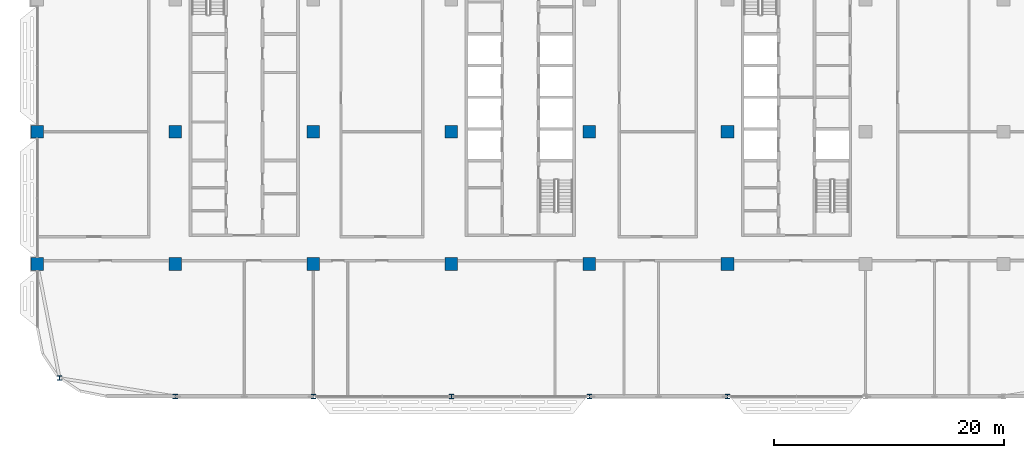
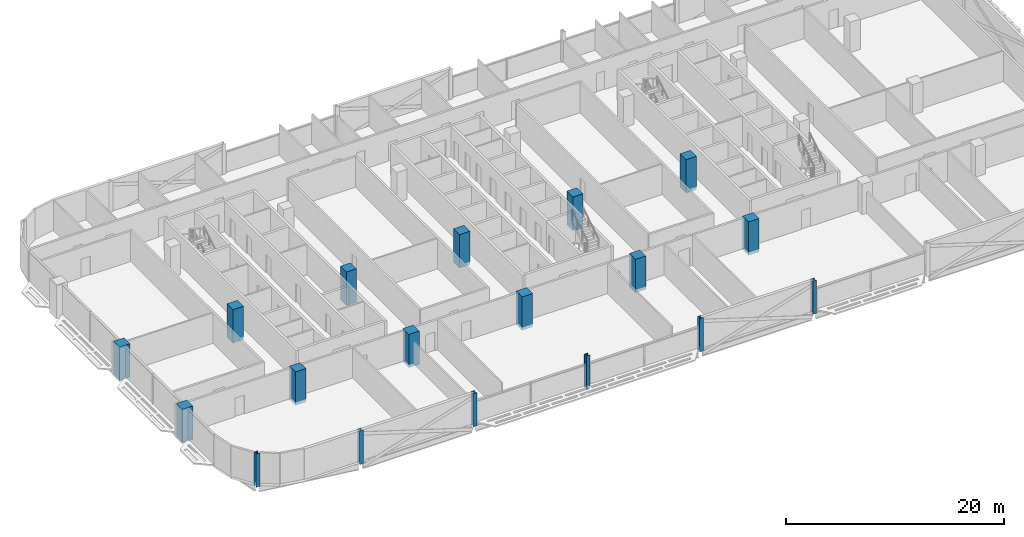
# One storey, part 1 of 30: 18 columns.
"""IFC4 building model written with IfcOpenShell, lengths in metres."""

import ifcopenshell
import ifcopenshell.guid

model = None  # the IFC model being written
_history = None  # IfcOwnerHistory: only IFC2X3 demands one
_inside = {}  # id of a spatial element -> (the spatial element, [elements in it])
_under = {}  # id of a project, library or spatial element -> (it, [spatial elements below it])
_declared = {}  # id of a project -> (the project, [libraries it declares])
_typed = {}  # id of a type object -> (the type object, [elements of that type])
_made_of = {}  # id of a material, layer set ... -> (it, [elements and type objects made of it])


def new_model(schema):
    """Start an empty IFC model of exactly this schema.

    Asked for "IFC4X3", IfcOpenShell would pick the latest addendum, in which some entities
    have other attributes; the version numbers below select the first issue.
    IFC2X3 requires an IfcOwnerHistory on every rooted entity: one is made here for all.
    """
    global model, _history
    if schema == "IFC4X3":
        model = ifcopenshell.file(schema_version=(4, 3, 0, 0))
    else:
        model = ifcopenshell.file(schema=schema)
    _inside.clear()
    _under.clear()
    _declared.clear()
    _typed.clear()
    _made_of.clear()
    _history = None
    if model.schema == "IFC2X3":
        org = make("IfcOrganization", Name="unknown")
        user = make(
            "IfcPersonAndOrganization",
            ThePerson=make("IfcPerson", FamilyName="unknown"),
            TheOrganization=org,
        )
        app = make(
            "IfcApplication",
            ApplicationDeveloper=org,
            Version="unknown",
            ApplicationFullName="unknown",
            ApplicationIdentifier="unknown",
        )
        _history = make(
            "IfcOwnerHistory",
            OwningUser=user,
            OwningApplication=app,
            ChangeAction="ADDED",
            CreationDate=0,
        )
    return model


def make(cls, **values):
    """One entity of the class cls with the attributes given. An attribute that is None is left unset."""
    return model.create_entity(
        cls, **{name: value for name, value in values.items() if value is not None}
    )


def rooted(cls, **values):
    """An entity with a GlobalId (a new one), such as an element, a storey or a relation."""
    return make(cls, GlobalId=ifcopenshell.guid.new(), OwnerHistory=_history, **values)


def si_unit(unit_type, name, prefix=None):
    """IfcSIUnit, for example si_unit("LENGTHUNIT", "METRE", prefix="MILLI")."""
    return make("IfcSIUnit", UnitType=unit_type, Prefix=prefix, Name=name)


def assignment(units):
    """IfcUnitAssignment: the units of a project."""
    return None if units is None else make("IfcUnitAssignment", Units=units)


def point(xyz):
    """IfcCartesianPoint."""
    return None if xyz is None else make("IfcCartesianPoint", Coordinates=xyz)


def direction(xyz):
    """IfcDirection."""
    return None if xyz is None else make("IfcDirection", DirectionRatios=xyz)


def frame(location, z_axis=None, x_axis=None):
    """IfcAxis2Placement3D, a coordinate frame: its origin and axes. An axis left out is left unset."""
    return make(
        "IfcAxis2Placement3D",
        Location=point(location),
        Axis=direction(z_axis),
        RefDirection=direction(x_axis),
    )


def frame_2d(location, x_axis=None):
    """IfcAxis2Placement2D, a coordinate frame in the plane: its origin and x axis."""
    return make(
        "IfcAxis2Placement2D", Location=point(location), RefDirection=direction(x_axis)
    )


def origin():
    """The frame at (0, 0, 0) with its axes left unset."""
    return frame((0.0, 0.0, 0.0))


def origin_2d():
    """The frame at (0, 0) in the plane with its x axis left unset."""
    return frame_2d((0.0, 0.0))


def place(relative_to, where):
    """IfcLocalPlacement: puts the frame where relative to a parent placement (None: the world)."""
    return make(
        "IfcLocalPlacement", PlacementRelTo=relative_to, RelativePlacement=where
    )


def context(
    kind, dimensions, precision=None, world=None, true_north=None, identifier=None
):
    """IfcGeometricRepresentationContext, for example the 3D "Model" context."""
    return make(
        "IfcGeometricRepresentationContext",
        ContextIdentifier=identifier,
        ContextType=kind,
        CoordinateSpaceDimension=dimensions,
        Precision=precision,
        WorldCoordinateSystem=world,
        TrueNorth=true_north,
    )


def subcontext(parent, identifier, kind, view, scale=None):
    """IfcGeometricRepresentationSubContext, for example "Body" below "Model"."""
    return make(
        "IfcGeometricRepresentationSubContext",
        ContextIdentifier=identifier,
        ContextType=kind,
        ParentContext=parent,
        TargetScale=scale,
        TargetView=view,
    )


def project(units=None, contexts=None):
    """IfcProject with its units and contexts."""
    return rooted(
        "IfcProject",
        Name="project",
        RepresentationContexts=contexts,
        UnitsInContext=assignment(units),
    )


def spatial(cls, under=None, at=None, **own):
    """A site, building, storey or space (cls), placed at a placement, below another one or the project."""
    s = rooted(cls, ObjectPlacement=at, **own)
    if under is not None:
        _under.setdefault(under.id(), (under, []))[1].append(s)
    return s


def profile(cls, at=None, kind="AREA", **sizes):
    """A parametric profile (cls). Its sizes go by their IFC names, for example OverallWidth=200.0."""
    return make(cls, ProfileType=kind, Position=at, **sizes)


def rectangle(**sizes):
    """IfcRectangleProfileDef."""
    return profile("IfcRectangleProfileDef", **sizes)


def i_section(**sizes):
    """IfcIShapeProfileDef."""
    return profile("IfcIShapeProfileDef", **sizes)


def extrude(swept, where, along, depth):
    """IfcExtrudedAreaSolid: the profile swept, set in the frame where, extruded along a direction by depth."""
    return make(
        "IfcExtrudedAreaSolid",
        SweptArea=swept,
        Position=where,
        ExtrudedDirection=direction(along),
        Depth=depth,
    )


def shape(context_of_items, identifier, shape_type, items):
    """IfcShapeRepresentation: the items that make up one representation, for example the "Body"."""
    return make(
        "IfcShapeRepresentation",
        ContextOfItems=context_of_items,
        RepresentationIdentifier=identifier,
        RepresentationType=shape_type,
        Items=items,
    )


def material(Name=None, Category=None):
    """IfcMaterial."""
    return make("IfcMaterial", Name=Name, Category=Category)


def material_profile(
    of_material, cross_section, Name=None, Category=None, Priority=None
):
    """IfcMaterialProfile: a cross section and its material."""
    return make(
        "IfcMaterialProfile",
        Name=Name,
        Material=of_material,
        Profile=cross_section,
        Priority=Priority,
        Category=Category,
    )


def profile_set(profiles, Name=None, composite=None):
    """IfcMaterialProfileSet."""
    return make(
        "IfcMaterialProfileSet",
        Name=Name,
        MaterialProfiles=profiles,
        CompositeProfile=composite,
    )


def made_of(thing, what):
    """Note that an element or type object is made of a material, layer set ...; save() writes the relation."""
    if what is not None:
        _made_of.setdefault(what.id(), (what, []))[1].append(thing)
    return thing


def type_object(cls, material=None, **own):
    """A type object (cls), such as IfcWallType, which elements share."""
    return made_of(rooted(cls, **own), material)


def element(
    cls,
    number,
    at=None,
    inside=None,
    cuts=None,
    type_object=None,
    material=None,
    context=None,
    identifier="Body",
    shape_type=None,
    held_by="IfcProductDefinitionShape",
    body=None,
    shapes=None,
    **own,
):
    """One element of the class cls, such as IfcWall. Its Tag is "e" and its number.

    at: its placement. inside: the storey or other place that contains it. cuts: it is an
    opening in that element (IfcRelVoidsElement). A single representation is given by context,
    identifier, shape_type and body (its items); several are given by shapes. held_by: the class
    of the entity that holds the representations. save() writes the other relations.
    """
    e = rooted(cls, Tag="e%d" % number, ObjectPlacement=at, **own)
    if body is not None:
        shapes = [shape(context, identifier, shape_type, body)]
    if shapes is not None:
        e.Representation = make(held_by, Representations=shapes)
    if inside is not None:
        _inside.setdefault(inside.id(), (inside, []))[1].append(e)
    if cuts is not None:
        rooted(
            "IfcRelVoidsElement", RelatingBuildingElement=cuts, RelatedOpeningElement=e
        )
    if type_object is not None:
        _typed.setdefault(type_object.id(), (type_object, []))[1].append(e)
    return made_of(e, material)


def aggregate(whole, parts):
    """IfcRelAggregates: a whole, such as a stair, and the parts it consists of."""
    return rooted("IfcRelAggregates", RelatingObject=whole, RelatedObjects=parts)


def save(model, path):
    """Write the relations noted so far, then the file.

    IfcRelAggregates (storeys below a building ...), IfcRelContainedInSpatialStructure (elements
    in a storey), IfcRelDefinesByType, IfcRelAssociatesMaterial and IfcRelDeclares: one each for
    every whole, place, type object, material and project.
    """
    for whole, parts in _under.values():
        aggregate(whole, parts)
    for where, things in _inside.values():
        rooted(
            "IfcRelContainedInSpatialStructure",
            RelatedElements=things,
            RelatingStructure=where,
        )
    for kind, things in _typed.values():
        rooted("IfcRelDefinesByType", RelatedObjects=things, RelatingType=kind)
    for what, things in _made_of.values():
        rooted("IfcRelAssociatesMaterial", RelatedObjects=things, RelatingMaterial=what)
    for by, libraries in _declared.values():
        rooted("IfcRelDeclares", RelatingContext=by, RelatedDefinitions=libraries)
    model.write(path)


model = new_model("IFC4")

# Units and contexts
model_context = context("Model", 3, precision=1e-05, world=origin(), true_north=direction((0.0, 1.0)))
body_context = subcontext(model_context, "Body", "Model", "MODEL_VIEW")
ifc_project = project(units=[si_unit("LENGTHUNIT", "METRE"), si_unit("AREAUNIT", "SQUARE_METRE"), si_unit("VOLUMEUNIT", "CUBIC_METRE"), si_unit("PLANEANGLEUNIT", "RADIAN"), si_unit("MASSUNIT", "GRAM", prefix="KILO")], contexts=[model_context])

# Site, building, storey
site_placement = place(None, origin())
site = spatial("IfcSite", under=ifc_project, at=site_placement, CompositionType="ELEMENT")
building_placement = place(site_placement, origin())
building = spatial("IfcBuilding", under=site, at=building_placement, Name="Mahtab Terrace Research Tower", CompositionType="ELEMENT")
storey_placement = place(building_placement, frame((0.0, 0.0, 220.5)))
storey = spatial("IfcBuildingStorey", under=building, at=storey_placement, Name="L53", CompositionType="ELEMENT", Elevation=220.5)

# Columns
ifc_material_1 = material(Name="Concrete C70/85", Category="concrete")
ifc_material_profile_1 = material_profile(ifc_material_1, rectangle(XDim=1.10009765625, YDim=1.10009765625, at=origin_2d()), Name="RC column 1100x1100")
ifc_profile_set_1 = profile_set([ifc_material_profile_1], Name="Concrete C70/85")
column_type_1 = type_object("IfcColumnType", Name="RC column 1100x1100", PredefinedType="COLUMN", material=ifc_profile_set_1)
for number, where, z_axis, x_axis, name in (
    (1, (-42.0, -11.5, -0.340087890625), (0.0, 0.0, 1.0), (1.0, 0.0, 0.0), "Column RC-1A L53"),
    (2, (-42.0, 0.0, -0.340087890625), (0.0, 0.0, 1.0), (1.0, 0.0, 0.0), "Column RC-1B L53"),
    (3, (-30.0, -11.5, -0.340087890625), (0.0, 0.0, 1.0), (1.0, 0.0, 0.0), "Column RC-2A L53"),
    (4, (-30.0, 0.0, -0.340087890625), (0.0, 0.0, 1.0), (1.0, 0.0, 0.0), "Column RC-2B L53"),
    (5, (-18.0, -11.5, -0.340087890625), (0.0, 0.0, 1.0), (1.0, 0.0, 0.0), "Column RC-3A L53"),
    (6, (-18.0, 0.0, -0.340087890625), (0.0, 0.0, 1.0), (1.0, 0.0, 0.0), "Column RC-3B L53"),
    (7, (-6.0, -11.5, -0.340087890625), (0.0, 0.0, 1.0), (1.0, 0.0, 0.0), "Column RC-4A L53"),
    (8, (-6.0, 0.0, -0.340087890625), (0.0, 0.0, 1.0), (1.0, 0.0, 0.0), "Column RC-4B L53"),
    (9, (6.0, -11.5, -0.340087890625), (0.0, 0.0, 1.0), (1.0, 0.0, 0.0), "Column RC-5A L53"),
    (10, (6.0, 0.0, -0.340087890625), (0.0, 0.0, 1.0), (1.0, 0.0, 0.0), "Column RC-5B L53"),
    (11, (18.0, -11.5, -0.340087890625), (0.0, 0.0, 1.0), (1.0, 0.0, 0.0), "Column RC-6A L53"),
    (12, (18.0, 0.0, -0.340087890625), (0.0, 0.0, 1.0), (1.0, 0.0, 0.0), "Column RC-6B L53"),
):
    element("IfcColumn", number, at=place(storey_placement, frame(where, z_axis=z_axis, x_axis=x_axis)), inside=storey, type_object=column_type_1, Name=name, PredefinedType="COLUMN", context=body_context, shape_type="SweptSolid", body=[
        extrude(rectangle(XDim=1.10009765625, YDim=1.10009765625, at=origin_2d()), origin(), (0.0, 0.0, 1.0), 3.739990234375),
    ])
ifc_material_2 = material(Name="Steel ASTM A992 Gr 50", Category="steel")
ifc_material_profile_2 = material_profile(ifc_material_2, i_section(OverallWidth=0.4013671875, OverallDepth=0.398681640625, WebThickness=0.02490234375, FlangeThickness=0.03955078125, at=origin_2d()), Name="W14X211")
ifc_profile_set_2 = profile_set([ifc_material_profile_2], Name="Steel ASTM A992 Gr 50")
column_type_2 = type_object("IfcColumnType", Name="W14x211 column CS14211", PredefinedType="COLUMN", material=ifc_profile_set_2)
for number, where, z_axis, x_axis, name in (
    (13, (-40.06201171875, -21.416015625, -0.340087890625), (0.0, 0.0, 1.0), (1.0, 0.0, 0.0), "Column SC-025 L53"),
    (14, (-30.0, -23.0, -0.340087890625), (0.0, 0.0, 1.0), (1.0, 0.0, 0.0), "Column SC-013 L53"),
    (15, (-18.0, -23.0, -0.340087890625), (0.0, 0.0, 1.0), (1.0, 0.0, 0.0), "Column SC-014 L53"),
    (16, (-6.0, -23.0, -0.340087890625), (0.0, 0.0, 1.0), (1.0, 0.0, 0.0), "Column SC-015 L53"),
    (17, (6.0, -23.0, -0.340087890625), (0.0, 0.0, 1.0), (1.0, 0.0, 0.0), "Column SC-016 L53"),
    (18, (18.0, -23.0, -0.340087890625), (0.0, 0.0, 1.0), (1.0, 0.0, 0.0), "Column SC-017 L53"),
):
    element("IfcColumn", number, at=place(storey_placement, frame(where, z_axis=z_axis, x_axis=x_axis)), inside=storey, type_object=column_type_2, Name=name, PredefinedType="COLUMN", context=body_context, shape_type="SweptSolid", body=[
        extrude(i_section(OverallWidth=0.4013671875, OverallDepth=0.398681640625, WebThickness=0.02490234375, FlangeThickness=0.03955078125, at=origin_2d()), origin(), (0.0, 0.0, 1.0), 3.739990234375),
    ])

save(model, "model.ifc")
